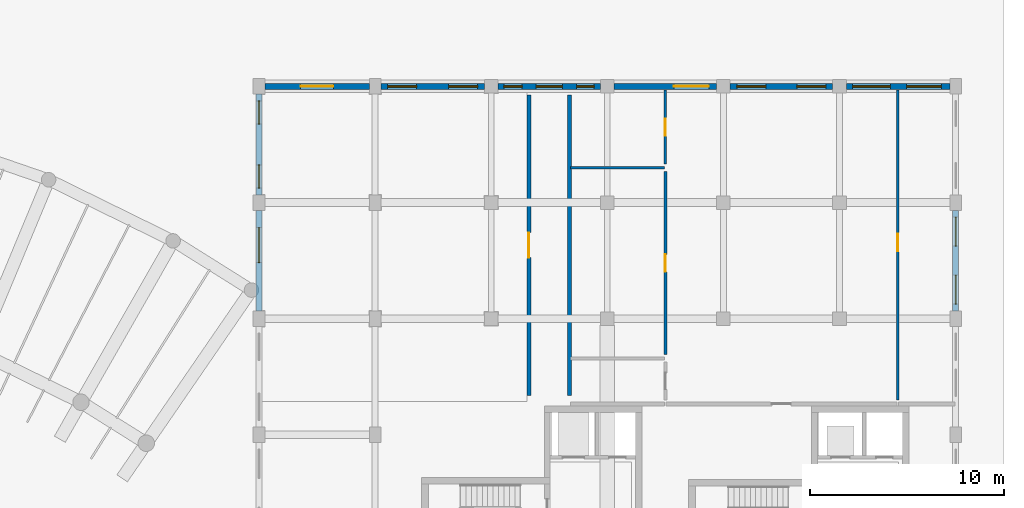
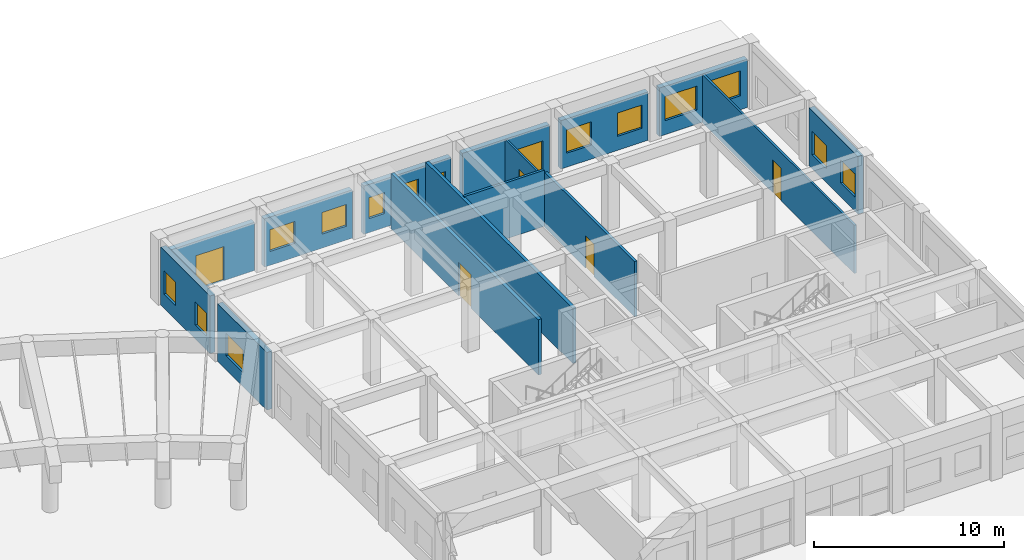
# One storey, part 63 of 76: 15 walls, 14 windows, 6 doors, 20 openings.
"""IFC4 building model written with IfcOpenShell, lengths in metres."""

import ifcopenshell
import ifcopenshell.guid

model = None  # the IFC model being written
_history = None  # IfcOwnerHistory: only IFC2X3 demands one
_inside = {}  # id of a spatial element -> (the spatial element, [elements in it])
_under = {}  # id of a project, library or spatial element -> (it, [spatial elements below it])
_declared = {}  # id of a project -> (the project, [libraries it declares])
_typed = {}  # id of a type object -> (the type object, [elements of that type])
_made_of = {}  # id of a material, layer set ... -> (it, [elements and type objects made of it])


def new_model(schema):
    """Start an empty IFC model of exactly this schema.

    Asked for "IFC4X3", IfcOpenShell would pick the latest addendum, in which some entities
    have other attributes; the version numbers below select the first issue.
    IFC2X3 requires an IfcOwnerHistory on every rooted entity: one is made here for all.
    """
    global model, _history
    if schema == "IFC4X3":
        model = ifcopenshell.file(schema_version=(4, 3, 0, 0))
    else:
        model = ifcopenshell.file(schema=schema)
    _inside.clear()
    _under.clear()
    _declared.clear()
    _typed.clear()
    _made_of.clear()
    _history = None
    if model.schema == "IFC2X3":
        org = make("IfcOrganization", Name="unknown")
        user = make(
            "IfcPersonAndOrganization",
            ThePerson=make("IfcPerson", FamilyName="unknown"),
            TheOrganization=org,
        )
        app = make(
            "IfcApplication",
            ApplicationDeveloper=org,
            Version="unknown",
            ApplicationFullName="unknown",
            ApplicationIdentifier="unknown",
        )
        _history = make(
            "IfcOwnerHistory",
            OwningUser=user,
            OwningApplication=app,
            ChangeAction="ADDED",
            CreationDate=0,
        )
    return model


def make(cls, **values):
    """One entity of the class cls with the attributes given. An attribute that is None is left unset."""
    return model.create_entity(
        cls, **{name: value for name, value in values.items() if value is not None}
    )


def rooted(cls, **values):
    """An entity with a GlobalId (a new one), such as an element, a storey or a relation."""
    return make(cls, GlobalId=ifcopenshell.guid.new(), OwnerHistory=_history, **values)


def si_unit(unit_type, name, prefix=None):
    """IfcSIUnit, for example si_unit("LENGTHUNIT", "METRE", prefix="MILLI")."""
    return make("IfcSIUnit", UnitType=unit_type, Prefix=prefix, Name=name)


def assignment(units):
    """IfcUnitAssignment: the units of a project."""
    return None if units is None else make("IfcUnitAssignment", Units=units)


def point(xyz):
    """IfcCartesianPoint."""
    return None if xyz is None else make("IfcCartesianPoint", Coordinates=xyz)


def direction(xyz):
    """IfcDirection."""
    return None if xyz is None else make("IfcDirection", DirectionRatios=xyz)


def frame(location, z_axis=None, x_axis=None):
    """IfcAxis2Placement3D, a coordinate frame: its origin and axes. An axis left out is left unset."""
    return make(
        "IfcAxis2Placement3D",
        Location=point(location),
        Axis=direction(z_axis),
        RefDirection=direction(x_axis),
    )


def frame_2d(location, x_axis=None):
    """IfcAxis2Placement2D, a coordinate frame in the plane: its origin and x axis."""
    return make(
        "IfcAxis2Placement2D", Location=point(location), RefDirection=direction(x_axis)
    )


def origin():
    """The frame at (0, 0, 0) with its axes left unset."""
    return frame((0.0, 0.0, 0.0))


def place(relative_to, where):
    """IfcLocalPlacement: puts the frame where relative to a parent placement (None: the world)."""
    return make(
        "IfcLocalPlacement", PlacementRelTo=relative_to, RelativePlacement=where
    )


def context(
    kind, dimensions, precision=None, world=None, true_north=None, identifier=None
):
    """IfcGeometricRepresentationContext, for example the 3D "Model" context."""
    return make(
        "IfcGeometricRepresentationContext",
        ContextIdentifier=identifier,
        ContextType=kind,
        CoordinateSpaceDimension=dimensions,
        Precision=precision,
        WorldCoordinateSystem=world,
        TrueNorth=true_north,
    )


def subcontext(parent, identifier, kind, view, scale=None):
    """IfcGeometricRepresentationSubContext, for example "Body" below "Model"."""
    return make(
        "IfcGeometricRepresentationSubContext",
        ContextIdentifier=identifier,
        ContextType=kind,
        ParentContext=parent,
        TargetScale=scale,
        TargetView=view,
    )


def project(units=None, contexts=None):
    """IfcProject with its units and contexts."""
    return rooted(
        "IfcProject",
        Name="project",
        RepresentationContexts=contexts,
        UnitsInContext=assignment(units),
    )


def spatial(cls, under=None, at=None, **own):
    """A site, building, storey or space (cls), placed at a placement, below another one or the project."""
    s = rooted(cls, ObjectPlacement=at, **own)
    if under is not None:
        _under.setdefault(under.id(), (under, []))[1].append(s)
    return s


def profile(cls, at=None, kind="AREA", **sizes):
    """A parametric profile (cls). Its sizes go by their IFC names, for example OverallWidth=200.0."""
    return make(cls, ProfileType=kind, Position=at, **sizes)


def rectangle(**sizes):
    """IfcRectangleProfileDef."""
    return profile("IfcRectangleProfileDef", **sizes)


def extrude(swept, where, along, depth):
    """IfcExtrudedAreaSolid: the profile swept, set in the frame where, extruded along a direction by depth."""
    return make(
        "IfcExtrudedAreaSolid",
        SweptArea=swept,
        Position=where,
        ExtrudedDirection=direction(along),
        Depth=depth,
    )


def shape(context_of_items, identifier, shape_type, items):
    """IfcShapeRepresentation: the items that make up one representation, for example the "Body"."""
    return make(
        "IfcShapeRepresentation",
        ContextOfItems=context_of_items,
        RepresentationIdentifier=identifier,
        RepresentationType=shape_type,
        Items=items,
    )


def material(Name=None, Category=None):
    """IfcMaterial."""
    return make("IfcMaterial", Name=Name, Category=Category)


def layer(
    of_material, thickness, ventilated=None, Name=None, Category=None, Priority=None
):
    """IfcMaterialLayer: one layer of a wall or slab, of a material (None: an air gap)."""
    return make(
        "IfcMaterialLayer",
        Material=of_material,
        LayerThickness=thickness,
        IsVentilated=ventilated,
        Name=Name,
        Category=Category,
        Priority=Priority,
    )


def layer_set(layers, Name=None):
    """IfcMaterialLayerSet."""
    return make("IfcMaterialLayerSet", MaterialLayers=layers, LayerSetName=Name)


def made_of(thing, what):
    """Note that an element or type object is made of a material, layer set ...; save() writes the relation."""
    if what is not None:
        _made_of.setdefault(what.id(), (what, []))[1].append(thing)
    return thing


def type_object(cls, material=None, **own):
    """A type object (cls), such as IfcWallType, which elements share."""
    return made_of(rooted(cls, **own), material)


def element(
    cls,
    number,
    at=None,
    inside=None,
    cuts=None,
    type_object=None,
    material=None,
    context=None,
    identifier="Body",
    shape_type=None,
    held_by="IfcProductDefinitionShape",
    body=None,
    shapes=None,
    **own,
):
    """One element of the class cls, such as IfcWall. Its Tag is "e" and its number.

    at: its placement. inside: the storey or other place that contains it. cuts: it is an
    opening in that element (IfcRelVoidsElement). A single representation is given by context,
    identifier, shape_type and body (its items); several are given by shapes. held_by: the class
    of the entity that holds the representations. save() writes the other relations.
    """
    e = rooted(cls, Tag="e%d" % number, ObjectPlacement=at, **own)
    if body is not None:
        shapes = [shape(context, identifier, shape_type, body)]
    if shapes is not None:
        e.Representation = make(held_by, Representations=shapes)
    if inside is not None:
        _inside.setdefault(inside.id(), (inside, []))[1].append(e)
    if cuts is not None:
        rooted(
            "IfcRelVoidsElement", RelatingBuildingElement=cuts, RelatedOpeningElement=e
        )
    if type_object is not None:
        _typed.setdefault(type_object.id(), (type_object, []))[1].append(e)
    return made_of(e, material)


def fill(opening, filler):
    """IfcRelFillsElement: the door or window that sits in an opening."""
    return rooted(
        "IfcRelFillsElement",
        RelatingOpeningElement=opening,
        RelatedBuildingElement=filler,
    )


def aggregate(whole, parts):
    """IfcRelAggregates: a whole, such as a stair, and the parts it consists of."""
    return rooted("IfcRelAggregates", RelatingObject=whole, RelatedObjects=parts)


def save(model, path):
    """Write the relations noted so far, then the file.

    IfcRelAggregates (storeys below a building ...), IfcRelContainedInSpatialStructure (elements
    in a storey), IfcRelDefinesByType, IfcRelAssociatesMaterial and IfcRelDeclares: one each for
    every whole, place, type object, material and project.
    """
    for whole, parts in _under.values():
        aggregate(whole, parts)
    for where, things in _inside.values():
        rooted(
            "IfcRelContainedInSpatialStructure",
            RelatedElements=things,
            RelatingStructure=where,
        )
    for kind, things in _typed.values():
        rooted("IfcRelDefinesByType", RelatedObjects=things, RelatingType=kind)
    for what, things in _made_of.values():
        rooted("IfcRelAssociatesMaterial", RelatedObjects=things, RelatingMaterial=what)
    for by, libraries in _declared.values():
        rooted("IfcRelDeclares", RelatingContext=by, RelatedDefinitions=libraries)
    model.write(path)


model = new_model("IFC4")

# Units and contexts
model_context = context("Model", 3, precision=1e-05, world=origin(), true_north=direction((0.0, 1.0)))
body_context = subcontext(model_context, "Body", "Model", "MODEL_VIEW")
ifc_project = project(units=[si_unit("LENGTHUNIT", "METRE"), si_unit("AREAUNIT", "SQUARE_METRE"), si_unit("VOLUMEUNIT", "CUBIC_METRE"), si_unit("PLANEANGLEUNIT", "RADIAN"), si_unit("MASSUNIT", "GRAM", prefix="KILO"), si_unit("POWERUNIT", "WATT"), si_unit("THERMODYNAMICTEMPERATUREUNIT", "KELVIN")], contexts=[model_context])

# Site, building, storey
site_placement = place(None, origin())
site = spatial("IfcSite", under=ifc_project, at=site_placement, CompositionType="ELEMENT")
building_placement = place(site_placement, origin())
building = spatial("IfcBuilding", under=site, at=building_placement, Name="Ruvembo Vaulted Housing Court", CompositionType="ELEMENT")
storey_placement = place(building_placement, origin())
storey = spatial("IfcBuildingStorey", under=building, at=storey_placement, Name="L00", CompositionType="ELEMENT", Elevation=0.0)

# Wall, opening, door
ifc_material_1 = material(Name="Concrete Blockwork 200", Category="masonry")
ifc_layer_1 = layer(ifc_material_1, 0.199951171875, Name="Concrete Blockwork 200")
ifc_layer_set_1 = layer_set([ifc_layer_1], Name="Concrete Blockwork 200")
wall_type_1 = type_object("IfcWallType", Name="WL-CORR-200", PredefinedType="SOLIDWALL", material=ifc_layer_set_1)
wall_1_placement = place(storey_placement, frame((163.949951171875, 92.0400390625, 0.0), z_axis=(0.0, 0.0, 1.0), x_axis=(0.0, 1.0, 0.0)))
wall_1 = element("IfcWall", 1, at=wall_1_placement, inside=storey, type_object=wall_type_1, Name="L00 NW Vestibule WL-INT-L00-00146", PredefinedType="SOLIDWALL", context=body_context, shape_type="SweptSolid", body=[
    extrude(rectangle(XDim=15.52001953125, YDim=0.199951171875, at=frame_2d((7.760009765625, 0.0))), origin(), (0.0, 0.0, 1.0), 3.56201171875),
])
opening_1_placement = place(wall_1_placement, frame((7.110107421875, 0.0, 0.0)))
opening_1 = element("IfcOpeningElement", 2, at=opening_1_placement, cuts=wall_1, Name="Opening CD2", PredefinedType="OPENING", context=body_context, shape_type="SweptSolid", body=[
    extrude(rectangle(XDim=1.300048828125, YDim=2.14990234375, at=frame_2d((0.64990234375, 1.074951171875))), frame((0.0, 0.10986328125, 0.0), z_axis=(0.0, -1.0, 0.0), x_axis=(1.0, 0.0, 0.0)), (0.0, 0.0, 1.0), 0.219970703125),
])
ifc_material_2 = material(Name="FSC Hardwood and Engineered Timber", Category="wood")
door_type_1 = type_object("IfcDoorType", Name="DR-CIVIC-1300x2150", OperationType="NOTDEFINED", PredefinedType="DOOR", material=ifc_material_2)
door_1_placement = place(opening_1_placement, origin())
door_1 = element("IfcDoor", 3, at=door_1_placement, inside=storey, type_object=door_type_1, Name="L00 NW Vestibule Door DR-INT-L00-00069", OperationType="SINGLE_SWING_LEFT", OverallHeight=2.14990234375, OverallWidth=1.300048828125, PredefinedType="DOOR", context=body_context, shape_type="SweptSolid", body=[
    extrude(rectangle(XDim=1.300048828125, YDim=2.14990234375, at=frame_2d((0.64990234375, 1.074951171875))), frame((0.0, 0.02490234375, 0.0), z_axis=(0.0, -1.0, 0.0), x_axis=(1.0, 0.0, 0.0)), (0.0, 0.0, 1.0), 0.050048828125),
])
fill(opening_1, door_1)

# Wall
wall_2_placement = place(storey_placement, frame((166.050048828125, 92.0400390625, 0.0), z_axis=(0.0, 0.0, 1.0), x_axis=(0.0, 1.0, 0.0)))
element("IfcWall", 4, at=wall_2_placement, inside=storey, type_object=wall_type_1, Name="L00 NE Flat Wall WL-INT-L00-00156", PredefinedType="SOLIDWALL", context=body_context, shape_type="SweptSolid", body=[
    extrude(rectangle(XDim=15.52001953125, YDim=0.199951171875, at=frame_2d((7.760009765625, 0.0))), origin(), (0.0, 0.0, 1.0), 3.56201171875),
])

# Wall, openings, windows
ifc_material_3 = material(Name="Rendered Masonry 320", Category="masonry")
ifc_layer_2 = layer(ifc_material_3, 0.320068359375, Name="Rendered Masonry 320")
ifc_layer_set_2 = layer_set([ifc_layer_2], Name="Rendered Masonry 320")
wall_type_2 = type_object("IfcWallType", Name="WL-EXT-320", PredefinedType="STANDARD", material=ifc_layer_set_2)
wall_3_placement = place(storey_placement, frame((186.0, 96.39990234375, 0.0), z_axis=(0.0, 0.0, 1.0), x_axis=(0.0, 1.0, 0.0)))
wall_3 = element("IfcWall", 5, at=wall_3_placement, inside=storey, type_object=wall_type_2, Name="Block D L00 Exterior Wall EAST #5", PredefinedType="STANDARD", context=body_context, shape_type="SweptSolid", body=[
    extrude(rectangle(XDim=5.2001953125, YDim=0.320068359375, at=frame_2d((2.60009765625, 0.0))), origin(), (0.0, 0.0, 1.0), 3.7119140625),
])
opening_2_placement = place(wall_3_placement, frame((0.35009765625, 0.0, 0.89990234375)))
opening_2 = element("IfcOpeningElement", 6, at=opening_2_placement, cuts=wall_3, Name="Opening W19", PredefinedType="OPENING", context=body_context, shape_type="SweptSolid", body=[
    extrude(rectangle(XDim=1.5, YDim=1.5, at=frame_2d((0.75, 0.75))), frame((0.0, 0.169921875, 0.0), z_axis=(0.0, -1.0, 0.0), x_axis=(1.0, 0.0, 0.0)), (0.0, 0.0, 1.0), 0.340087890625),
])
opening_3_placement = place(wall_3_placement, frame((3.35009765625, 0.0, 0.89990234375)))
opening_3 = element("IfcOpeningElement", 7, at=opening_3_placement, cuts=wall_3, Name="Opening W19", PredefinedType="OPENING", context=body_context, shape_type="SweptSolid", body=[
    extrude(rectangle(XDim=1.5, YDim=1.5, at=frame_2d((0.75, 0.75))), frame((0.0, 0.169921875, 0.0), z_axis=(0.0, -1.0, 0.0), x_axis=(1.0, 0.0, 0.0)), (0.0, 0.0, 1.0), 0.340087890625),
])
ifc_material_4 = material(Name="Double Solar-Control Glazing in Aluminium Frame", Category="aluminium")
window_type_1 = type_object("IfcWindowType", Name="WIN-1500x1500", PartitioningType="SINGLE_PANEL", PredefinedType="WINDOW", material=ifc_material_4)
window_1_placement = place(opening_2_placement, origin())
window_1 = element("IfcWindow", 8, at=window_1_placement, inside=storey, type_object=window_type_1, Name="Block D L00 Window #1463", OverallHeight=1.5, OverallWidth=1.5, PartitioningType="SINGLE_PANEL", PredefinedType="WINDOW", context=body_context, shape_type="SweptSolid", body=[
    extrude(rectangle(XDim=1.5, YDim=1.5, at=frame_2d((0.75, 0.75))), frame((0.0, 0.030029296875, 0.0), z_axis=(0.0, -1.0, 0.0), x_axis=(1.0, 0.0, 0.0)), (0.0, 0.0, 1.0), 0.06005859375),
])
fill(opening_2, window_1)
window_2_placement = place(opening_3_placement, origin())
window_2 = element("IfcWindow", 9, at=window_2_placement, inside=storey, type_object=window_type_1, Name="Block D L00 Window #1464", OverallHeight=1.5, OverallWidth=1.5, PartitioningType="SINGLE_PANEL", PredefinedType="WINDOW", context=body_context, shape_type="SweptSolid", body=[
    extrude(rectangle(XDim=1.5, YDim=1.5, at=frame_2d((0.75, 0.75))), frame((0.0, 0.030029296875, 0.0), z_axis=(0.0, -1.0, 0.0), x_axis=(1.0, 0.0, 0.0)), (0.0, 0.0, 1.0), 0.06005859375),
])
fill(opening_3, window_2)

wall_4_placement = place(storey_placement, frame((185.699951171875, 108.0, 0.0), z_axis=(0.0, 0.0, 1.0), x_axis=(-1.0, 0.0, 0.0)))
wall_4 = element("IfcWall", 10, at=wall_4_placement, inside=storey, type_object=wall_type_2, Name="Block D L00 Exterior Wall STREET #1", PredefinedType="STANDARD", context=body_context, shape_type="SweptSolid", body=[
    extrude(rectangle(XDim=5.349853515625, YDim=0.320068359375, at=frame_2d((2.6748046875, 0.0))), origin(), (0.0, 0.0, 1.0), 3.112060546875),
])
opening_4_placement = place(wall_4_placement, frame((0.429931640625, 0.0, 0.89990234375)))
opening_4 = element("IfcOpeningElement", 11, at=opening_4_placement, cuts=wall_4, Name="Opening W23", PredefinedType="OPENING", context=body_context, shape_type="SweptSolid", body=[
    extrude(rectangle(XDim=1.800048828125, YDim=1.60009765625, at=frame_2d((0.89990234375, 0.800048828125))), frame((0.0, 0.169921875, 0.0), z_axis=(0.0, -1.0, 0.0), x_axis=(1.0, 0.0, 0.0)), (0.0, 0.0, 1.0), 0.340087890625),
])
opening_5_placement = place(wall_4_placement, frame((3.070068359375, 0.0, 0.89990234375)))
opening_5 = element("IfcOpeningElement", 12, at=opening_5_placement, cuts=wall_4, Name="Opening W24", PredefinedType="OPENING", context=body_context, shape_type="SweptSolid", body=[
    extrude(rectangle(XDim=1.949951171875, YDim=1.550048828125, at=frame_2d((0.97509765625, 0.77490234375))), frame((0.0, 0.169921875, 0.0), z_axis=(0.0, -1.0, 0.0), x_axis=(1.0, 0.0, 0.0)), (0.0, 0.0, 1.0), 0.340087890625),
])
window_type_2 = type_object("IfcWindowType", Name="WIN-1800x1600", PartitioningType="SINGLE_PANEL", PredefinedType="WINDOW", material=ifc_material_4)
window_3_placement = place(opening_4_placement, origin())
window_3 = element("IfcWindow", 13, at=window_3_placement, inside=storey, type_object=window_type_2, Name="Block D L00 Window #1467", OverallHeight=1.60009765625, OverallWidth=1.800048828125, PartitioningType="SINGLE_PANEL", PredefinedType="WINDOW", context=body_context, shape_type="SweptSolid", body=[
    extrude(rectangle(XDim=1.800048828125, YDim=1.60009765625, at=frame_2d((0.89990234375, 0.800048828125))), frame((0.0, 0.030029296875, 0.0), z_axis=(0.0, -1.0, 0.0), x_axis=(1.0, 0.0, 0.0)), (0.0, 0.0, 1.0), 0.06005859375),
])
fill(opening_4, window_3)
window_type_3 = type_object("IfcWindowType", Name="WIN-1950x1550", PartitioningType="SINGLE_PANEL", PredefinedType="WINDOW", material=ifc_material_4)
window_4_placement = place(opening_5_placement, origin())
window_4 = element("IfcWindow", 14, at=window_4_placement, inside=storey, type_object=window_type_3, Name="Block D L00 Window #1468", OverallHeight=1.550048828125, OverallWidth=1.949951171875, PartitioningType="SINGLE_PANEL", PredefinedType="WINDOW", context=body_context, shape_type="SweptSolid", body=[
    extrude(rectangle(XDim=1.949951171875, YDim=1.550048828125, at=frame_2d((0.97509765625, 0.77490234375))), frame((0.0, 0.030029296875, 0.0), z_axis=(0.0, -1.0, 0.0), x_axis=(1.0, 0.0, 0.0)), (0.0, 0.0, 1.0), 0.06005859375),
])
fill(opening_5, window_4)

wall_5_placement = place(storey_placement, frame((179.64990234375, 108.0, 0.0), z_axis=(0.0, 0.0, 1.0), x_axis=(-1.0, 0.0, 0.0)))
wall_5 = element("IfcWall", 15, at=wall_5_placement, inside=storey, type_object=wall_type_2, Name="Block D L00 Exterior Wall STREET #2", PredefinedType="STANDARD", context=body_context, shape_type="SweptSolid", body=[
    extrude(rectangle(XDim=5.2998046875, YDim=0.320068359375, at=frame_2d((2.64990234375, 0.0))), origin(), (0.0, 0.0, 1.0), 3.112060546875),
])
opening_6_placement = place(wall_5_placement, frame((0.35009765625, 0.0, 0.89990234375)))
opening_6 = element("IfcOpeningElement", 16, at=opening_6_placement, cuts=wall_5, Name="Opening W19", PredefinedType="OPENING", context=body_context, shape_type="SweptSolid", body=[
    extrude(rectangle(XDim=1.5, YDim=1.5, at=frame_2d((0.75, 0.75))), frame((0.0, 0.169921875, 0.0), z_axis=(0.0, -1.0, 0.0), x_axis=(1.0, 0.0, 0.0)), (0.0, 0.0, 1.0), 0.340087890625),
])
opening_7_placement = place(wall_5_placement, frame((3.449951171875, 0.0, 0.89990234375)))
opening_7 = element("IfcOpeningElement", 17, at=opening_7_placement, cuts=wall_5, Name="Opening W19", PredefinedType="OPENING", context=body_context, shape_type="SweptSolid", body=[
    extrude(rectangle(XDim=1.5, YDim=1.5, at=frame_2d((0.75, 0.75))), frame((0.0, 0.169921875, 0.0), z_axis=(0.0, -1.0, 0.0), x_axis=(1.0, 0.0, 0.0)), (0.0, 0.0, 1.0), 0.340087890625),
])
window_5_placement = place(opening_6_placement, origin())
window_5 = element("IfcWindow", 18, at=window_5_placement, inside=storey, type_object=window_type_1, Name="Block D L00 Window #1469", OverallHeight=1.5, OverallWidth=1.5, PartitioningType="SINGLE_PANEL", PredefinedType="WINDOW", context=body_context, shape_type="SweptSolid", body=[
    extrude(rectangle(XDim=1.5, YDim=1.5, at=frame_2d((0.75, 0.75))), frame((0.0, 0.030029296875, 0.0), z_axis=(0.0, -1.0, 0.0), x_axis=(1.0, 0.0, 0.0)), (0.0, 0.0, 1.0), 0.06005859375),
])
fill(opening_6, window_5)
window_6_placement = place(opening_7_placement, origin())
window_6 = element("IfcWindow", 19, at=window_6_placement, inside=storey, type_object=window_type_1, Name="Block D L00 Window #1470", OverallHeight=1.5, OverallWidth=1.5, PartitioningType="SINGLE_PANEL", PredefinedType="WINDOW", context=body_context, shape_type="SweptSolid", body=[
    extrude(rectangle(XDim=1.5, YDim=1.5, at=frame_2d((0.75, 0.75))), frame((0.0, 0.030029296875, 0.0), z_axis=(0.0, -1.0, 0.0), x_axis=(1.0, 0.0, 0.0)), (0.0, 0.0, 1.0), 0.06005859375),
])
fill(opening_7, window_6)

# Wall, opening, door
wall_6_placement = place(storey_placement, frame((173.64990234375, 108.0, 0.0), z_axis=(0.0, 0.0, 1.0), x_axis=(-1.0, 0.0, 0.0)))
wall_6 = element("IfcWall", 20, at=wall_6_placement, inside=storey, type_object=wall_type_2, Name="Block D L00 Exterior Wall STREET #3", PredefinedType="STANDARD", context=body_context, shape_type="SweptSolid", body=[
    extrude(rectangle(XDim=5.2998046875, YDim=0.320068359375, at=frame_2d((2.64990234375, 0.0))), origin(), (0.0, 0.0, 1.0), 3.112060546875),
])
opening_8_placement = place(wall_6_placement, frame((0.405029296875, 0.0, 0.0)))
opening_8 = element("IfcOpeningElement", 21, at=opening_8_placement, cuts=wall_6, Name="Opening EX1", PredefinedType="OPENING", context=body_context, shape_type="SweptSolid", body=[
    extrude(rectangle(XDim=1.800048828125, YDim=2.199951171875, at=frame_2d((0.89990234375, 1.10009765625))), frame((0.0, 0.169921875, 0.0), z_axis=(0.0, -1.0, 0.0), x_axis=(1.0, 0.0, 0.0)), (0.0, 0.0, 1.0), 0.340087890625),
])
ifc_material_5 = material(Name="Thermally Broken Glazed Aluminium", Category="aluminium")
door_type_2 = type_object("IfcDoorType", Name="DR-EXIT-1800x2200", OperationType="NOTDEFINED", PredefinedType="DOOR", material=ifc_material_5)
door_2_placement = place(opening_8_placement, frame((1.800048828125, 0.0, 0.0), z_axis=(0.0, 0.0, 1.0), x_axis=(-1.0, 0.0, 0.0)))
door_2 = element("IfcDoor", 22, at=door_2_placement, inside=storey, type_object=door_type_2, Name="Block D Final Exit Door DR-EXIT-D-066", OperationType="DOUBLE_DOOR_SINGLE_SWING", OverallHeight=2.199951171875, OverallWidth=1.800048828125, PredefinedType="DOOR", context=body_context, shape_type="SweptSolid", body=[
    extrude(rectangle(XDim=1.800048828125, YDim=2.199951171875, at=frame_2d((0.89990234375, 1.10009765625))), frame((0.0, 0.02490234375, 0.0), z_axis=(0.0, -1.0, 0.0), x_axis=(1.0, 0.0, 0.0)), (0.0, 0.0, 1.0), 0.050048828125),
])
fill(opening_8, door_2)

# Wall, openings, windows
wall_7_placement = place(storey_placement, frame((167.64990234375, 108.0, 0.0), z_axis=(0.0, 0.0, 1.0), x_axis=(-1.0, 0.0, 0.0)))
wall_7 = element("IfcWall", 23, at=wall_7_placement, inside=storey, type_object=wall_type_2, Name="Block D L00 Exterior Wall STREET #4", PredefinedType="STANDARD", context=body_context, shape_type="SweptSolid", body=[
    extrude(rectangle(XDim=5.2998046875, YDim=0.320068359375, at=frame_2d((2.64990234375, 0.0))), origin(), (0.0, 0.0, 1.0), 3.112060546875),
])
opening_9_placement = place(wall_7_placement, frame((0.330078125, 0.0, 0.89990234375)))
opening_9 = element("IfcOpeningElement", 24, at=opening_9_placement, cuts=wall_7, Name="Opening W05", PredefinedType="OPENING", context=body_context, shape_type="SweptSolid", body=[
    extrude(rectangle(XDim=0.89990234375, YDim=1.39990234375, at=frame_2d((0.449951171875, 0.699951171875))), frame((0.0, 0.169921875, 0.0), z_axis=(0.0, -1.0, 0.0), x_axis=(1.0, 0.0, 0.0)), (0.0, 0.0, 1.0), 0.340087890625),
])
opening_10_placement = place(wall_7_placement, frame((1.97509765625, 0.0, 0.89990234375)))
opening_10 = element("IfcOpeningElement", 25, at=opening_10_placement, cuts=wall_7, Name="Opening W16", PredefinedType="OPENING", context=body_context, shape_type="SweptSolid", body=[
    extrude(rectangle(XDim=1.35009765625, YDim=1.5, at=frame_2d((0.675048828125, 0.75))), frame((0.0, 0.169921875, 0.0), z_axis=(0.0, -1.0, 0.0), x_axis=(1.0, 0.0, 0.0)), (0.0, 0.0, 1.0), 0.340087890625),
])
opening_11_placement = place(wall_7_placement, frame((4.044921875, 0.0, 0.89990234375)))
opening_11 = element("IfcOpeningElement", 26, at=opening_11_placement, cuts=wall_7, Name="Opening W07", PredefinedType="OPENING", context=body_context, shape_type="SweptSolid", body=[
    extrude(rectangle(XDim=0.949951171875, YDim=1.35009765625, at=frame_2d((0.47509765625, 0.675048828125))), frame((0.0, 0.169921875, 0.0), z_axis=(0.0, -1.0, 0.0), x_axis=(1.0, 0.0, 0.0)), (0.0, 0.0, 1.0), 0.340087890625),
])
window_type_4 = type_object("IfcWindowType", Name="WIN-0900x1400", PartitioningType="SINGLE_PANEL", PredefinedType="WINDOW", material=ifc_material_4)
window_7_placement = place(opening_9_placement, origin())
window_7 = element("IfcWindow", 27, at=window_7_placement, inside=storey, type_object=window_type_4, Name="Block D L00 Window #1471", OverallHeight=1.39990234375, OverallWidth=0.89990234375, PartitioningType="SINGLE_PANEL", PredefinedType="WINDOW", context=body_context, shape_type="SweptSolid", body=[
    extrude(rectangle(XDim=0.89990234375, YDim=1.39990234375, at=frame_2d((0.449951171875, 0.699951171875))), frame((0.0, 0.030029296875, 0.0), z_axis=(0.0, -1.0, 0.0), x_axis=(1.0, 0.0, 0.0)), (0.0, 0.0, 1.0), 0.06005859375),
])
fill(opening_9, window_7)
window_type_5 = type_object("IfcWindowType", Name="WIN-0950x1350", PartitioningType="SINGLE_PANEL", PredefinedType="WINDOW", material=ifc_material_4)
window_8_placement = place(opening_11_placement, origin())
window_8 = element("IfcWindow", 28, at=window_8_placement, inside=storey, type_object=window_type_5, Name="Block D L00 Window #1473", OverallHeight=1.35009765625, OverallWidth=0.949951171875, PartitioningType="SINGLE_PANEL", PredefinedType="WINDOW", context=body_context, shape_type="SweptSolid", body=[
    extrude(rectangle(XDim=0.949951171875, YDim=1.35009765625, at=frame_2d((0.47509765625, 0.675048828125))), frame((0.0, 0.030029296875, 0.0), z_axis=(0.0, -1.0, 0.0), x_axis=(1.0, 0.0, 0.0)), (0.0, 0.0, 1.0), 0.06005859375),
])
fill(opening_11, window_8)
window_type_6 = type_object("IfcWindowType", Name="WIN-1350x1500", PartitioningType="SINGLE_PANEL", PredefinedType="WINDOW", material=ifc_material_4)
window_9_placement = place(opening_10_placement, origin())
window_9 = element("IfcWindow", 29, at=window_9_placement, inside=storey, type_object=window_type_6, Name="Block D L00 Window #1472", OverallHeight=1.5, OverallWidth=1.35009765625, PartitioningType="SINGLE_PANEL", PredefinedType="WINDOW", context=body_context, shape_type="SweptSolid", body=[
    extrude(rectangle(XDim=1.35009765625, YDim=1.5, at=frame_2d((0.675048828125, 0.75))), frame((0.0, 0.030029296875, 0.0), z_axis=(0.0, -1.0, 0.0), x_axis=(1.0, 0.0, 0.0)), (0.0, 0.0, 1.0), 0.06005859375),
])
fill(opening_10, window_9)

wall_8_placement = place(storey_placement, frame((161.64990234375, 108.0, 0.0), z_axis=(0.0, 0.0, 1.0), x_axis=(-1.0, 0.0, 0.0)))
wall_8 = element("IfcWall", 30, at=wall_8_placement, inside=storey, type_object=wall_type_2, Name="Block D L00 Exterior Wall STREET #5", PredefinedType="STANDARD", context=body_context, shape_type="SweptSolid", body=[
    extrude(rectangle(XDim=5.349853515625, YDim=0.320068359375, at=frame_2d((2.6748046875, 0.0))), origin(), (0.0, 0.0, 1.0), 3.112060546875),
])
opening_12_placement = place(wall_8_placement, frame((0.35009765625, 0.0, 0.89990234375)))
opening_12 = element("IfcOpeningElement", 31, at=opening_12_placement, cuts=wall_8, Name="Opening W18", PredefinedType="OPENING", context=body_context, shape_type="SweptSolid", body=[
    extrude(rectangle(XDim=1.5, YDim=1.39990234375, at=frame_2d((0.75, 0.699951171875))), frame((0.0, 0.169921875, 0.0), z_axis=(0.0, -1.0, 0.0), x_axis=(1.0, 0.0, 0.0)), (0.0, 0.0, 1.0), 0.340087890625),
])
opening_13_placement = place(wall_8_placement, frame((3.5, 0.0, 0.89990234375)))
opening_13 = element("IfcOpeningElement", 32, at=opening_13_placement, cuts=wall_8, Name="Opening W18", PredefinedType="OPENING", context=body_context, shape_type="SweptSolid", body=[
    extrude(rectangle(XDim=1.5, YDim=1.39990234375, at=frame_2d((0.75, 0.699951171875))), frame((0.0, 0.169921875, 0.0), z_axis=(0.0, -1.0, 0.0), x_axis=(1.0, 0.0, 0.0)), (0.0, 0.0, 1.0), 0.340087890625),
])
window_type_7 = type_object("IfcWindowType", Name="WIN-1500x1400", PartitioningType="SINGLE_PANEL", PredefinedType="WINDOW", material=ifc_material_4)
window_10_placement = place(opening_12_placement, origin())
window_10 = element("IfcWindow", 33, at=window_10_placement, inside=storey, type_object=window_type_7, Name="Block D L00 Window #1474", OverallHeight=1.39990234375, OverallWidth=1.5, PartitioningType="SINGLE_PANEL", PredefinedType="WINDOW", context=body_context, shape_type="SweptSolid", body=[
    extrude(rectangle(XDim=1.5, YDim=1.39990234375, at=frame_2d((0.75, 0.699951171875))), frame((0.0, 0.030029296875, 0.0), z_axis=(0.0, -1.0, 0.0), x_axis=(1.0, 0.0, 0.0)), (0.0, 0.0, 1.0), 0.06005859375),
])
fill(opening_12, window_10)
window_11_placement = place(opening_13_placement, origin())
window_11 = element("IfcWindow", 34, at=window_11_placement, inside=storey, type_object=window_type_7, Name="Block D L00 Window #1475", OverallHeight=1.39990234375, OverallWidth=1.5, PartitioningType="SINGLE_PANEL", PredefinedType="WINDOW", context=body_context, shape_type="SweptSolid", body=[
    extrude(rectangle(XDim=1.5, YDim=1.39990234375, at=frame_2d((0.75, 0.699951171875))), frame((0.0, 0.030029296875, 0.0), z_axis=(0.0, -1.0, 0.0), x_axis=(1.0, 0.0, 0.0)), (0.0, 0.0, 1.0), 0.06005859375),
])
fill(opening_13, window_11)

# Wall, opening, door
wall_9_placement = place(storey_placement, frame((155.699951171875, 108.0, 0.0), z_axis=(0.0, 0.0, 1.0), x_axis=(-1.0, 0.0, 0.0)))
wall_9 = element("IfcWall", 35, at=wall_9_placement, inside=storey, type_object=wall_type_2, Name="Block D L00 Exterior Wall STREET #6", PredefinedType="STANDARD", context=body_context, shape_type="SweptSolid", body=[
    extrude(rectangle(XDim=5.39990234375, YDim=0.320068359375, at=frame_2d((2.699951171875, 0.0))), origin(), (0.0, 0.0, 1.0), 3.112060546875),
])
opening_14_placement = place(wall_9_placement, frame((1.85009765625, 0.0, 0.0)))
opening_14 = element("IfcOpeningElement", 36, at=opening_14_placement, cuts=wall_9, Name="Opening EX3", PredefinedType="OPENING", context=body_context, shape_type="SweptSolid", body=[
    extrude(rectangle(XDim=1.699951171875, YDim=2.199951171875, at=frame_2d((0.85009765625, 1.10009765625))), frame((0.0, 0.169921875, 0.0), z_axis=(0.0, -1.0, 0.0), x_axis=(1.0, 0.0, 0.0)), (0.0, 0.0, 1.0), 0.340087890625),
])
door_type_3 = type_object("IfcDoorType", Name="DR-EXIT-1700x2200", OperationType="NOTDEFINED", PredefinedType="DOOR", material=ifc_material_5)
door_3_placement = place(opening_14_placement, frame((1.699951171875, 0.0, 0.0), z_axis=(0.0, 0.0, 1.0), x_axis=(-1.0, 0.0, 0.0)))
door_3 = element("IfcDoor", 37, at=door_3_placement, inside=storey, type_object=door_type_3, Name="Block D Final Exit Door DR-EXIT-D-067", OperationType="DOUBLE_DOOR_SINGLE_SWING", OverallHeight=2.199951171875, OverallWidth=1.699951171875, PredefinedType="DOOR", context=body_context, shape_type="SweptSolid", body=[
    extrude(rectangle(XDim=1.699951171875, YDim=2.199951171875, at=frame_2d((0.85009765625, 1.10009765625))), frame((0.0, 0.02490234375, 0.0), z_axis=(0.0, -1.0, 0.0), x_axis=(1.0, 0.0, 0.0)), (0.0, 0.0, 1.0), 0.050048828125),
])
fill(opening_14, door_3)

# Wall, openings, windows
wall_10_placement = place(storey_placement, frame((150.0, 107.60009765625, 0.0), z_axis=(0.0, 0.0, 1.0), x_axis=(0.0, -1.0, 0.0)))
wall_10 = element("IfcWall", 38, at=wall_10_placement, inside=storey, type_object=wall_type_2, Name="Block D L00 Exterior Wall WEST #1", PredefinedType="STANDARD", context=body_context, shape_type="SweptSolid", body=[
    extrude(rectangle(XDim=5.2001953125, YDim=0.320068359375, at=frame_2d((2.60009765625, 0.0))), origin(), (0.0, 0.0, 1.0), 3.7119140625),
])
opening_15_placement = place(wall_10_placement, frame((0.35009765625, 0.0, 0.89990234375)))
opening_15 = element("IfcOpeningElement", 39, at=opening_15_placement, cuts=wall_10, Name="Opening W14", PredefinedType="OPENING", context=body_context, shape_type="SweptSolid", body=[
    extrude(rectangle(XDim=1.199951171875, YDim=1.5, at=frame_2d((0.60009765625, 0.75))), frame((0.0, 0.169921875, 0.0), z_axis=(0.0, -1.0, 0.0), x_axis=(1.0, 0.0, 0.0)), (0.0, 0.0, 1.0), 0.340087890625),
])
opening_16_placement = place(wall_10_placement, frame((3.64990234375, 0.0, 0.89990234375)))
opening_16 = element("IfcOpeningElement", 40, at=opening_16_placement, cuts=wall_10, Name="Opening W14", PredefinedType="OPENING", context=body_context, shape_type="SweptSolid", body=[
    extrude(rectangle(XDim=1.199951171875, YDim=1.5, at=frame_2d((0.60009765625, 0.75))), frame((0.0, 0.169921875, 0.0), z_axis=(0.0, -1.0, 0.0), x_axis=(1.0, 0.0, 0.0)), (0.0, 0.0, 1.0), 0.340087890625),
])
window_type_8 = type_object("IfcWindowType", Name="WIN-1200x1500", PartitioningType="SINGLE_PANEL", PredefinedType="WINDOW", material=ifc_material_4)
window_12_placement = place(opening_15_placement, origin())
window_12 = element("IfcWindow", 41, at=window_12_placement, inside=storey, type_object=window_type_8, Name="Block D L00 Window #1476", OverallHeight=1.5, OverallWidth=1.199951171875, PartitioningType="SINGLE_PANEL", PredefinedType="WINDOW", context=body_context, shape_type="SweptSolid", body=[
    extrude(rectangle(XDim=1.199951171875, YDim=1.5, at=frame_2d((0.60009765625, 0.75))), frame((0.0, 0.030029296875, 0.0), z_axis=(0.0, -1.0, 0.0), x_axis=(1.0, 0.0, 0.0)), (0.0, 0.0, 1.0), 0.06005859375),
])
fill(opening_15, window_12)
window_13_placement = place(opening_16_placement, origin())
window_13 = element("IfcWindow", 42, at=window_13_placement, inside=storey, type_object=window_type_8, Name="Block D L00 Window #1477", OverallHeight=1.5, OverallWidth=1.199951171875, PartitioningType="SINGLE_PANEL", PredefinedType="WINDOW", context=body_context, shape_type="SweptSolid", body=[
    extrude(rectangle(XDim=1.199951171875, YDim=1.5, at=frame_2d((0.60009765625, 0.75))), frame((0.0, 0.030029296875, 0.0), z_axis=(0.0, -1.0, 0.0), x_axis=(1.0, 0.0, 0.0)), (0.0, 0.0, 1.0), 0.06005859375),
])
fill(opening_16, window_13)

# Wall, opening, window
wall_11_placement = place(storey_placement, frame((150.0, 101.60009765625, 0.0), z_axis=(0.0, 0.0, 1.0), x_axis=(0.0, -1.0, 0.0)))
wall_11 = element("IfcWall", 43, at=wall_11_placement, inside=storey, type_object=wall_type_2, Name="Block D L00 Exterior Wall WEST #2", PredefinedType="STANDARD", context=body_context, shape_type="SweptSolid", body=[
    extrude(rectangle(XDim=5.2001953125, YDim=0.320068359375, at=frame_2d((2.60009765625, 0.0))), origin(), (0.0, 0.0, 1.0), 3.7119140625),
])
opening_17_placement = place(wall_11_placement, frame((0.9013671875, 0.0, 0.89990234375)))
opening_17 = element("IfcOpeningElement", 44, at=opening_17_placement, cuts=wall_11, Name="Opening W22", PredefinedType="OPENING", context=body_context, shape_type="SweptSolid", body=[
    extrude(rectangle(XDim=1.800048828125, YDim=1.449951171875, at=frame_2d((0.89990234375, 0.72509765625))), frame((0.0, 0.169921875, 0.0), z_axis=(0.0, -1.0, 0.0), x_axis=(1.0, 0.0, 0.0)), (0.0, 0.0, 1.0), 0.340087890625),
])
window_type_9 = type_object("IfcWindowType", Name="WIN-1800x1450", PartitioningType="SINGLE_PANEL", PredefinedType="WINDOW", material=ifc_material_4)
window_14_placement = place(opening_17_placement, origin())
window_14 = element("IfcWindow", 45, at=window_14_placement, inside=storey, type_object=window_type_9, Name="Block D L00 Window #1478", OverallHeight=1.449951171875, OverallWidth=1.800048828125, PartitioningType="SINGLE_PANEL", PredefinedType="WINDOW", context=body_context, shape_type="SweptSolid", body=[
    extrude(rectangle(XDim=1.800048828125, YDim=1.449951171875, at=frame_2d((0.89990234375, 0.72509765625))), frame((0.0, 0.030029296875, 0.0), z_axis=(0.0, -1.0, 0.0), x_axis=(1.0, 0.0, 0.0)), (0.0, 0.0, 1.0), 0.06005859375),
])
fill(opening_17, window_14)

# Wall, opening, door
ifc_material_6 = material(Name="Plasterboard Stud Partition 125", Category="gypsum")
ifc_layer_3 = layer(ifc_material_6, 0.125, Name="Plasterboard Stud Partition 125")
ifc_layer_set_3 = layer_set([ifc_layer_3], Name="Plasterboard Stud Partition 125")
wall_type_3 = type_object("IfcWallType", Name="WL-PART-125", PredefinedType="PARTITIONING", material=ifc_layer_set_3)
wall_12_placement = place(storey_placement, frame((171.0, 103.989990234375, 0.0), z_axis=(0.0, 0.0, 1.0), x_axis=(0.0, 1.0, 0.0)))
wall_12 = element("IfcWall", 46, at=wall_12_placement, inside=storey, type_object=wall_type_3, Name="L00 Flat D01 Bedroom 1 WL-INT-L00-00149", PredefinedType="PARTITIONING", context=body_context, shape_type="SweptSolid", body=[
    extrude(rectangle(XDim=3.820068359375, YDim=0.125, at=frame_2d((1.91015625, 0.0))), origin(), (0.0, 0.0, 1.0), 3.112060546875),
])
opening_18_placement = place(wall_12_placement, frame((1.469970703125, 0.0, 0.0)))
opening_18 = element("IfcOpeningElement", 47, at=opening_18_placement, cuts=wall_12, Name="Opening ID3", PredefinedType="OPENING", context=body_context, shape_type="SweptSolid", body=[
    extrude(rectangle(XDim=0.8798828125, YDim=2.10009765625, at=frame_2d((0.43994140625, 1.050048828125))), frame((0.0, 0.072509765625, 0.0), z_axis=(0.0, -1.0, 0.0), x_axis=(1.0, 0.0, 0.0)), (0.0, 0.0, 1.0), 0.14501953125),
])
door_type_4 = type_object("IfcDoorType", Name="DR-ROOM-0880x2100", OperationType="NOTDEFINED", PredefinedType="DOOR", material=ifc_material_2)
door_4_placement = place(opening_18_placement, origin())
door_4 = element("IfcDoor", 48, at=door_4_placement, inside=storey, type_object=door_type_4, Name="L00 Flat D01 Bedroom 1 Door DR-INT-L00-00071", OperationType="SINGLE_SWING_LEFT", OverallHeight=2.10009765625, OverallWidth=0.8798828125, PredefinedType="DOOR", context=body_context, shape_type="SweptSolid", body=[
    extrude(rectangle(XDim=0.8798828125, YDim=2.10009765625, at=frame_2d((0.43994140625, 1.050048828125))), frame((0.0, 0.02490234375, 0.0), z_axis=(0.0, -1.0, 0.0), x_axis=(1.0, 0.0, 0.0)), (0.0, 0.0, 1.0), 0.050048828125),
])
fill(opening_18, door_4)

wall_13_placement = place(storey_placement, frame((183.0, 91.7900390625, 0.0), z_axis=(0.0, 0.0, 1.0), x_axis=(0.0, 1.0, 0.0)))
wall_13 = element("IfcWall", 49, at=wall_13_placement, inside=storey, type_object=wall_type_3, Name="L00 Flat D01 Bedroom 2 WL-INT-L00-00155", PredefinedType="PARTITIONING", context=body_context, shape_type="SweptSolid", body=[
    extrude(rectangle(XDim=16.02001953125, YDim=0.125, at=frame_2d((8.010009765625, 0.0))), origin(), (0.0, 0.0, 1.0), 3.112060546875),
])
opening_19_placement = place(wall_13_placement, frame((7.699951171875, 0.0, 0.0)))
opening_19 = element("IfcOpeningElement", 50, at=opening_19_placement, cuts=wall_13, Name="Opening ID1", PredefinedType="OPENING", context=body_context, shape_type="SweptSolid", body=[
    extrude(rectangle(XDim=0.89990234375, YDim=2.10009765625, at=frame_2d((0.449951171875, 1.050048828125))), frame((0.0, 0.072509765625, 0.0), z_axis=(0.0, -1.0, 0.0), x_axis=(1.0, 0.0, 0.0)), (0.0, 0.0, 1.0), 0.14501953125),
])
door_type_5 = type_object("IfcDoorType", Name="DR-ROOM-0900x2100", OperationType="NOTDEFINED", PredefinedType="DOOR", material=ifc_material_2)
door_5_placement = place(opening_19_placement, origin())
door_5 = element("IfcDoor", 51, at=door_5_placement, inside=storey, type_object=door_type_5, Name="L00 Flat D01 Bedroom 2 Door DR-INT-L00-00074", OperationType="SINGLE_SWING_RIGHT", OverallHeight=2.10009765625, OverallWidth=0.89990234375, PredefinedType="DOOR", context=body_context, shape_type="SweptSolid", body=[
    extrude(rectangle(XDim=0.89990234375, YDim=2.10009765625, at=frame_2d((0.449951171875, 1.050048828125))), frame((0.0, 0.02490234375, 0.0), z_axis=(0.0, -1.0, 0.0), x_axis=(1.0, 0.0, 0.0)), (0.0, 0.0, 1.0), 0.050048828125),
])
fill(opening_19, door_5)

# Wall
ifc_material_7 = material(Name="Moisture-Resistant Wet Partition 150", Category="gypsum")
ifc_layer_4 = layer(ifc_material_7, 0.14990234375, Name="Moisture-Resistant Wet Partition 150")
ifc_layer_set_4 = layer_set([ifc_layer_4], Name="Moisture-Resistant Wet Partition 150")
wall_type_4 = type_object("IfcWallType", Name="WL-PART-150", PredefinedType="PARTITIONING", material=ifc_layer_set_4)
wall_14_placement = place(storey_placement, frame((166.090087890625, 103.800048828125, 0.0), z_axis=(0.0, 0.0, 1.0), x_axis=(1.0, 0.0, 0.0)))
element("IfcWall", 52, at=wall_14_placement, inside=storey, type_object=wall_type_4, Name="L00 Flat D01 Wet Wall 1 WL-INT-L00-00152", PredefinedType="PARTITIONING", context=body_context, shape_type="SweptSolid", body=[
    extrude(rectangle(XDim=4.869873046875, YDim=0.14990234375, at=frame_2d((2.43505859375, 0.0))), origin(), (0.0, 0.0, 1.0), 3.612060546875),
])

# Wall, opening, door
ifc_material_8 = material(Name="Acoustic Service Chase Wall 160", Category="gypsum")
ifc_layer_5 = layer(ifc_material_8, 0.159912109375, Name="Acoustic Service Chase Wall 160")
ifc_layer_set_5 = layer_set([ifc_layer_5], Name="Acoustic Service Chase Wall 160")
wall_type_5 = type_object("IfcWallType", Name="WL-PLUMB-160", PredefinedType="PLUMBINGWALL", material=ifc_layer_set_5)
wall_15_placement = place(storey_placement, frame((171.0, 94.139892578125, 0.0), z_axis=(0.0, 0.0, 1.0), x_axis=(0.0, 1.0, 0.0)))
wall_15 = element("IfcWall", 53, at=wall_15_placement, inside=storey, type_object=wall_type_5, Name="L00 Flat D01 Kitchen WL-INT-L00-00150", PredefinedType="PLUMBINGWALL", context=body_context, shape_type="SweptSolid", body=[
    extrude(rectangle(XDim=9.47021484375, YDim=0.159912109375, at=frame_2d((4.735107421875, 0.0))), origin(), (0.0, 0.0, 1.0), 3.56201171875),
])
opening_20_placement = place(wall_15_placement, frame((4.284912109375, 0.0, 0.0)))
opening_20 = element("IfcOpeningElement", 54, at=opening_20_placement, cuts=wall_15, Name="Opening ID1", PredefinedType="OPENING", context=body_context, shape_type="SweptSolid", body=[
    extrude(rectangle(XDim=0.89990234375, YDim=2.10009765625, at=frame_2d((0.449951171875, 1.050048828125))), frame((0.0, 0.08984375, 0.0), z_axis=(0.0, -1.0, 0.0), x_axis=(1.0, 0.0, 0.0)), (0.0, 0.0, 1.0), 0.179931640625),
])
door_6_placement = place(opening_20_placement, origin())
door_6 = element("IfcDoor", 55, at=door_6_placement, inside=storey, type_object=door_type_5, Name="L00 Flat D01 Kitchen Door DR-INT-L00-00072", OperationType="SINGLE_SWING_RIGHT", OverallHeight=2.10009765625, OverallWidth=0.89990234375, PredefinedType="DOOR", context=body_context, shape_type="SweptSolid", body=[
    extrude(rectangle(XDim=0.89990234375, YDim=2.10009765625, at=frame_2d((0.449951171875, 1.050048828125))), frame((0.0, 0.02490234375, 0.0), z_axis=(0.0, -1.0, 0.0), x_axis=(1.0, 0.0, 0.0)), (0.0, 0.0, 1.0), 0.050048828125),
])
fill(opening_20, door_6)

save(model, "model.ifc")
